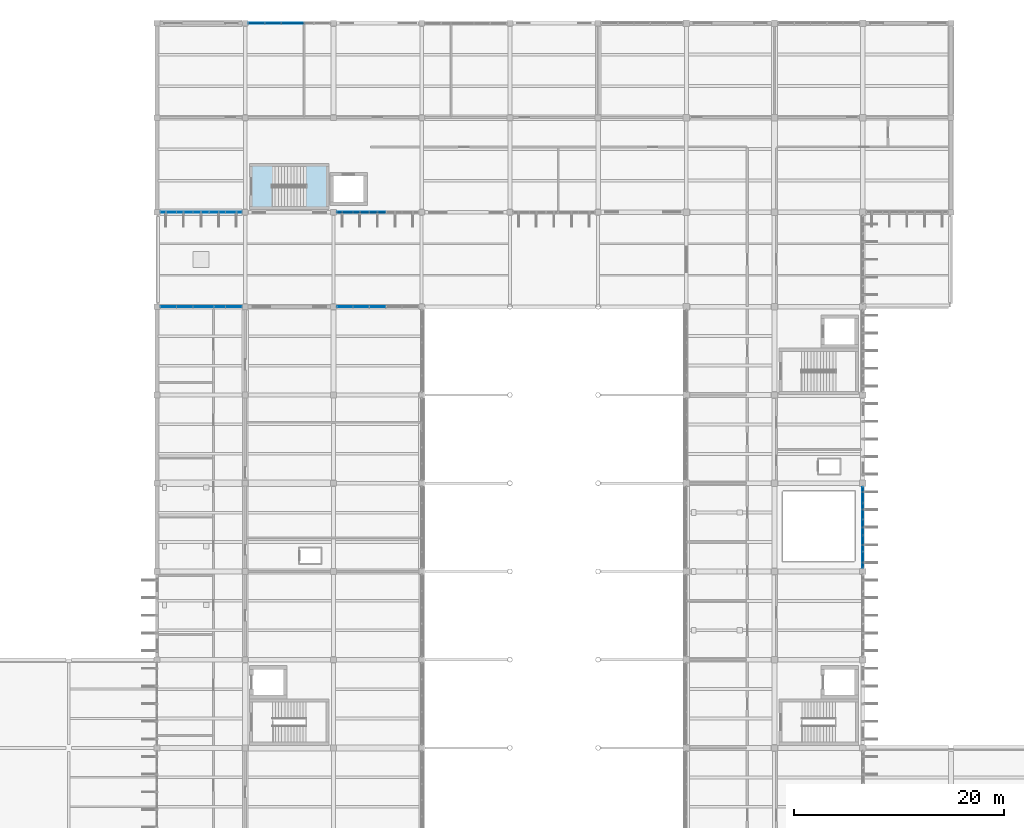
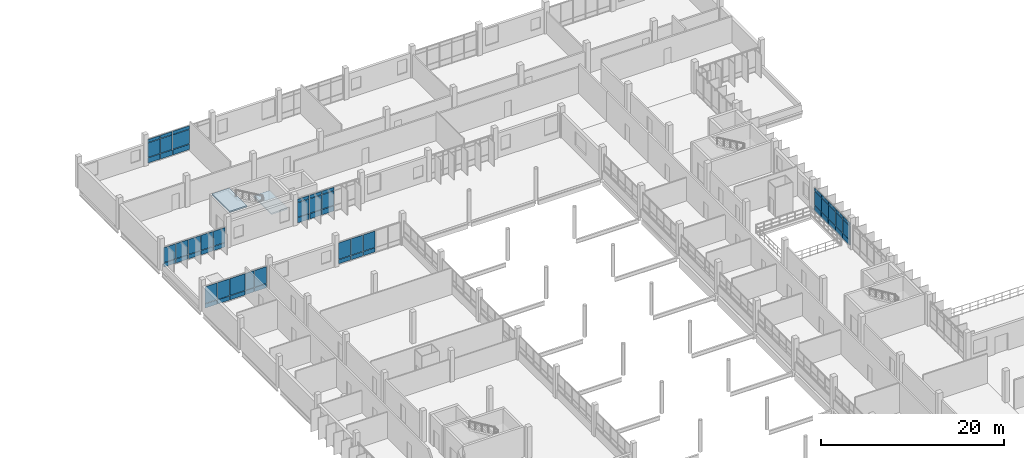
# One storey, part 99 of 130: 59 plates, 2 slabs, 7 elements without a shape of their own.
"""IFC4 building model written with IfcOpenShell, lengths in metres."""

from ifc_helpers import new_model, si_unit, direction, frame, origin, origin_2d, place, context, subcontext, project, spatial, polyline, rectangle, outline, extrude, material, layer, layer_set, type_object, element, aggregate, save


model = new_model("IFC4")

# Units and contexts
model_context = context("Model", 3, precision=1e-05, world=origin(), true_north=direction((0.0, 1.0)))
body_context = subcontext(model_context, "Body", "Model", "MODEL_VIEW")
ifc_project = project(units=[si_unit("LENGTHUNIT", "METRE"), si_unit("AREAUNIT", "SQUARE_METRE"), si_unit("VOLUMEUNIT", "CUBIC_METRE"), si_unit("PLANEANGLEUNIT", "RADIAN"), si_unit("MASSUNIT", "GRAM", prefix="KILO")], contexts=[model_context])

# Site, building, storey
site_placement = place(None, origin())
site = spatial("IfcSite", under=ifc_project, at=site_placement, CompositionType="ELEMENT")
building_placement = place(site_placement, origin())
building = spatial("IfcBuilding", under=site, at=building_placement, Name="Vireocrest Preparatory School", CompositionType="ELEMENT")
storey_placement = place(building_placement, frame((0.0, 0.0, 9.0)))
storey = spatial("IfcBuildingStorey", under=building, at=storey_placement, Name="L02", CompositionType="ELEMENT", Elevation=9.0)

# Curtain wall, plates
ifc_material_1 = material(Name="Thermally broken aluminium EN AW-6063-T6", Category="aluminium")
ifc_layer_1 = layer(ifc_material_1, 0.179931640625)
ifc_layer_set_1 = layer_set([ifc_layer_1], Name="Thermally broken aluminium EN AW-6063-T6")
curtain_wall_type_1 = type_object("IfcCurtainWallType", Name="Teaching Fin Curtain Wall 8400x4200", PredefinedType="USERDEFINED", material=ifc_layer_set_1)
curtain_wall_1_placement = place(storey_placement, origin())
curtain_wall_1 = element("IfcCurtainWall", 1, at=curtain_wall_1_placement, inside=storey, type_object=curtain_wall_type_1, Name="Curtain Wall CW03 CW_L02_CW03_1092_0609_090", ObjectType="CURTAIN WALL", PredefinedType="USERDEFINED")
ifc_material_2 = material(Name="Insulated triple low-e tempered safety glass", Category="glass")
ifc_layer_2 = layer(ifc_material_2, 0.074951171875)
ifc_layer_set_2 = layer_set([ifc_layer_2], Name="Insulated triple low-e tempered safety glass")
plate_type_1 = type_object("IfcPlateType", Name="Acoustic Triple-Glazed Lab Curtain Panel 75", PredefinedType="CURTAIN_PANEL", material=ifc_layer_set_2)
plate_1_placement = place(storey_placement, frame((109.199951171875, 61.7080078125, 0.882568359375), z_axis=(0.0, 0.0, 1.0), x_axis=(0.0, 1.0, 0.0)))
plate_1 = element("IfcPlate", 2, at=plate_1_placement, type_object=plate_type_1, Name="CW Panel GL2 CW_L02_CW03_1092_0609_090-1-2", PredefinedType="CURTAIN_PANEL", context=body_context, shape_type="SweptSolid", body=[
    extrude(rectangle(XDim=1.48095703125, YDim=0.074951171875, at=origin_2d()), origin(), (0.0, 0.0, 1.0), 1.77490234375),
])
plate_2_placement = place(storey_placement, frame((109.199951171875, 61.7080078125, 2.72265625), z_axis=(0.0, 0.0, 1.0), x_axis=(0.0, 1.0, 0.0)))
plate_2 = element("IfcPlate", 3, at=plate_2_placement, type_object=plate_type_1, Name="CW Panel GL2 CW_L02_CW03_1092_0609_090-1-3", PredefinedType="CURTAIN_PANEL", context=body_context, shape_type="SweptSolid", body=[
    extrude(rectangle(XDim=1.48095703125, YDim=0.074951171875, at=origin_2d()), origin(), (0.0, 0.0, 1.0), 0.409912109375),
])
plate_3_placement = place(storey_placement, frame((109.199951171875, 63.25390625, 0.882568359375), z_axis=(0.0, 0.0, 1.0), x_axis=(0.0, 1.0, 0.0)))
plate_3 = element("IfcPlate", 4, at=plate_3_placement, type_object=plate_type_1, Name="CW Panel GL2 CW_L02_CW03_1092_0609_090-2-2", PredefinedType="CURTAIN_PANEL", context=body_context, shape_type="SweptSolid", body=[
    extrude(rectangle(XDim=1.48095703125, YDim=0.074951171875, at=origin_2d()), origin(), (0.0, 0.0, 1.0), 1.77490234375),
])
plate_4_placement = place(storey_placement, frame((109.199951171875, 63.25390625, 2.72265625), z_axis=(0.0, 0.0, 1.0), x_axis=(0.0, 1.0, 0.0)))
plate_4 = element("IfcPlate", 5, at=plate_4_placement, type_object=plate_type_1, Name="CW Panel GL2 CW_L02_CW03_1092_0609_090-2-3", PredefinedType="CURTAIN_PANEL", context=body_context, shape_type="SweptSolid", body=[
    extrude(rectangle(XDim=1.48095703125, YDim=0.074951171875, at=origin_2d()), origin(), (0.0, 0.0, 1.0), 0.409912109375),
])
plate_5_placement = place(storey_placement, frame((109.199951171875, 64.800048828125, 0.882568359375), z_axis=(0.0, 0.0, 1.0), x_axis=(0.0, 1.0, 0.0)))
plate_5 = element("IfcPlate", 6, at=plate_5_placement, type_object=plate_type_1, Name="CW Panel GL2 CW_L02_CW03_1092_0609_090-3-2", PredefinedType="CURTAIN_PANEL", context=body_context, shape_type="SweptSolid", body=[
    extrude(rectangle(XDim=1.48095703125, YDim=0.074951171875, at=origin_2d()), origin(), (0.0, 0.0, 1.0), 1.77490234375),
])
plate_6_placement = place(storey_placement, frame((109.199951171875, 64.800048828125, 2.72265625), z_axis=(0.0, 0.0, 1.0), x_axis=(0.0, 1.0, 0.0)))
plate_6 = element("IfcPlate", 7, at=plate_6_placement, type_object=plate_type_1, Name="CW Panel GL2 CW_L02_CW03_1092_0609_090-3-3", PredefinedType="CURTAIN_PANEL", context=body_context, shape_type="SweptSolid", body=[
    extrude(rectangle(XDim=1.48095703125, YDim=0.074951171875, at=origin_2d()), origin(), (0.0, 0.0, 1.0), 0.409912109375),
])
plate_7_placement = place(storey_placement, frame((109.199951171875, 66.345947265625, 0.882568359375), z_axis=(0.0, 0.0, 1.0), x_axis=(0.0, 1.0, 0.0)))
plate_7 = element("IfcPlate", 8, at=plate_7_placement, type_object=plate_type_1, Name="CW Panel GL2 CW_L02_CW03_1092_0609_090-4-2", PredefinedType="CURTAIN_PANEL", context=body_context, shape_type="SweptSolid", body=[
    extrude(rectangle(XDim=1.48095703125, YDim=0.074951171875, at=origin_2d()), origin(), (0.0, 0.0, 1.0), 1.77490234375),
])
plate_8_placement = place(storey_placement, frame((109.199951171875, 66.345947265625, 2.72265625), z_axis=(0.0, 0.0, 1.0), x_axis=(0.0, 1.0, 0.0)))
plate_8 = element("IfcPlate", 9, at=plate_8_placement, type_object=plate_type_1, Name="CW Panel GL2 CW_L02_CW03_1092_0609_090-4-3", PredefinedType="CURTAIN_PANEL", context=body_context, shape_type="SweptSolid", body=[
    extrude(rectangle(XDim=1.48095703125, YDim=0.074951171875, at=origin_2d()), origin(), (0.0, 0.0, 1.0), 0.409912109375),
])
plate_9_placement = place(storey_placement, frame((109.199951171875, 67.89208984375, 0.882568359375), z_axis=(0.0, 0.0, 1.0), x_axis=(0.0, 1.0, 0.0)))
plate_9 = element("IfcPlate", 10, at=plate_9_placement, type_object=plate_type_1, Name="CW Panel GL2 CW_L02_CW03_1092_0609_090-5-2", PredefinedType="CURTAIN_PANEL", context=body_context, shape_type="SweptSolid", body=[
    extrude(rectangle(XDim=1.48095703125, YDim=0.074951171875, at=origin_2d()), origin(), (0.0, 0.0, 1.0), 1.77490234375),
])
plate_10_placement = place(storey_placement, frame((109.199951171875, 67.89208984375, 2.72265625), z_axis=(0.0, 0.0, 1.0), x_axis=(0.0, 1.0, 0.0)))
plate_10 = element("IfcPlate", 11, at=plate_10_placement, type_object=plate_type_1, Name="CW Panel GL2 CW_L02_CW03_1092_0609_090-5-3", PredefinedType="CURTAIN_PANEL", context=body_context, shape_type="SweptSolid", body=[
    extrude(rectangle(XDim=1.48095703125, YDim=0.074951171875, at=origin_2d()), origin(), (0.0, 0.0, 1.0), 0.409912109375),
])

ifc_layer_3 = layer(ifc_material_1, 0.179931640625)
ifc_layer_set_3 = layer_set([ifc_layer_3], Name="Thermally broken aluminium EN AW-6063-T6")
curtain_wall_type_2 = type_object("IfcCurtainWallType", Name="North Street Curtain Wall 8400x4000", PredefinedType="USERDEFINED", material=ifc_layer_set_3)
curtain_wall_2_placement = place(storey_placement, origin())
curtain_wall_2 = element("IfcCurtainWall", 12, at=curtain_wall_2_placement, inside=storey, type_object=curtain_wall_type_2, Name="Curtain Wall CW05 CW_L02_CW05_0506_1128_090", ObjectType="CURTAIN WALL", PredefinedType="USERDEFINED")
plate_11_placement = place(storey_placement, frame((51.488037109375, 112.800048828125, 0.882568359375), z_axis=(0.0, 0.0, 1.0), x_axis=(1.0, 0.0, 0.0)))
plate_11 = element("IfcPlate", 13, at=plate_11_placement, type_object=plate_type_1, Name="CW Panel GL2 CW_L02_CW05_0506_1128_090-1-2", PredefinedType="CURTAIN_PANEL", context=body_context, shape_type="SweptSolid", body=[
    extrude(rectangle(XDim=1.490966796875, YDim=0.074951171875, at=origin_2d()), origin(), (0.0, 0.0, 1.0), 1.89501953125),
])
plate_12_placement = place(storey_placement, frame((51.488037109375, 112.800048828125, 2.8427734375), z_axis=(0.0, 0.0, 1.0), x_axis=(1.0, 0.0, 0.0)))
plate_12 = element("IfcPlate", 14, at=plate_12_placement, type_object=plate_type_1, Name="CW Panel GL2 CW_L02_CW05_0506_1128_090-1-3", PredefinedType="CURTAIN_PANEL", context=body_context, shape_type="SweptSolid", body=[
    extrude(rectangle(XDim=1.490966796875, YDim=0.074951171875, at=origin_2d()), origin(), (0.0, 0.0, 1.0), 0.409912109375),
])
plate_13_placement = place(storey_placement, frame((53.0439453125, 112.800048828125, 0.882568359375), z_axis=(0.0, 0.0, 1.0), x_axis=(1.0, 0.0, 0.0)))
plate_13 = element("IfcPlate", 15, at=plate_13_placement, type_object=plate_type_1, Name="CW Panel GL2 CW_L02_CW05_0506_1128_090-2-2", PredefinedType="CURTAIN_PANEL", context=body_context, shape_type="SweptSolid", body=[
    extrude(rectangle(XDim=1.490966796875, YDim=0.074951171875, at=origin_2d()), origin(), (0.0, 0.0, 1.0), 1.89501953125),
])
plate_14_placement = place(storey_placement, frame((53.0439453125, 112.800048828125, 2.8427734375), z_axis=(0.0, 0.0, 1.0), x_axis=(1.0, 0.0, 0.0)))
plate_14 = element("IfcPlate", 16, at=plate_14_placement, type_object=plate_type_1, Name="CW Panel GL2 CW_L02_CW05_0506_1128_090-2-3", PredefinedType="CURTAIN_PANEL", context=body_context, shape_type="SweptSolid", body=[
    extrude(rectangle(XDim=1.490966796875, YDim=0.074951171875, at=origin_2d()), origin(), (0.0, 0.0, 1.0), 0.409912109375),
])
plate_15_placement = place(storey_placement, frame((54.910888671875, 112.800048828125, 0.882568359375), z_axis=(0.0, 0.0, 1.0), x_axis=(1.0, 0.0, 0.0)))
plate_15 = element("IfcPlate", 17, at=plate_15_placement, type_object=plate_type_1, Name="CW Panel GL2 CW_L02_CW05_0506_1128_090-3-2", PredefinedType="CURTAIN_PANEL", context=body_context, shape_type="SweptSolid", body=[
    extrude(rectangle(XDim=2.113037109375, YDim=0.074951171875, at=origin_2d()), origin(), (0.0, 0.0, 1.0), 1.89501953125),
])
plate_16_placement = place(storey_placement, frame((54.910888671875, 112.800048828125, 2.8427734375), z_axis=(0.0, 0.0, 1.0), x_axis=(1.0, 0.0, 0.0)))
plate_16 = element("IfcPlate", 18, at=plate_16_placement, type_object=plate_type_1, Name="CW Panel GL2 CW_L02_CW05_0506_1128_090-3-3", PredefinedType="CURTAIN_PANEL", context=body_context, shape_type="SweptSolid", body=[
    extrude(rectangle(XDim=2.113037109375, YDim=0.074951171875, at=origin_2d()), origin(), (0.0, 0.0, 1.0), 0.409912109375),
])

curtain_wall_3_placement = place(storey_placement, origin())
curtain_wall_3 = element("IfcCurtainWall", 19, at=curtain_wall_3_placement, inside=storey, type_object=curtain_wall_type_1, Name="Curtain Wall CW03 CW_L02_CW03_0422_0948_090", ObjectType="CURTAIN WALL", PredefinedType="USERDEFINED")
plate_17_placement = place(storey_placement, frame((43.087890625, 94.800048828125, 0.12744140625), z_axis=(0.0, 0.0, 1.0), x_axis=(1.0, 0.0, 0.0)))
plate_17 = element("IfcPlate", 20, at=plate_17_placement, type_object=plate_type_1, Name="CW Panel GL2 CW_L02_CW03_0422_0948_090-1-1", PredefinedType="CURTAIN_PANEL", context=body_context, shape_type="SweptSolid", body=[
    extrude(rectangle(XDim=1.490966796875, YDim=0.074951171875, at=origin_2d()), origin(), (0.0, 0.0, 1.0), 0.5400390625),
])
plate_18_placement = place(storey_placement, frame((43.087890625, 94.800048828125, 0.732421875), z_axis=(0.0, 0.0, 1.0), x_axis=(1.0, 0.0, 0.0)))
plate_18 = element("IfcPlate", 21, at=plate_18_placement, type_object=plate_type_1, Name="CW Panel GL2 CW_L02_CW03_0422_0948_090-1-2", PredefinedType="CURTAIN_PANEL", context=body_context, shape_type="SweptSolid", body=[
    extrude(rectangle(XDim=1.490966796875, YDim=0.074951171875, at=origin_2d()), origin(), (0.0, 0.0, 1.0), 1.969970703125),
])
plate_19_placement = place(storey_placement, frame((44.64404296875, 94.800048828125, 0.12744140625), z_axis=(0.0, 0.0, 1.0), x_axis=(1.0, 0.0, 0.0)))
plate_19 = element("IfcPlate", 22, at=plate_19_placement, type_object=plate_type_1, Name="CW Panel GL2 CW_L02_CW03_0422_0948_090-2-1", PredefinedType="CURTAIN_PANEL", context=body_context, shape_type="SweptSolid", body=[
    extrude(rectangle(XDim=1.490966796875, YDim=0.074951171875, at=origin_2d()), origin(), (0.0, 0.0, 1.0), 0.5400390625),
])
plate_20_placement = place(storey_placement, frame((44.64404296875, 94.800048828125, 0.732421875), z_axis=(0.0, 0.0, 1.0), x_axis=(1.0, 0.0, 0.0)))
plate_20 = element("IfcPlate", 23, at=plate_20_placement, type_object=plate_type_1, Name="CW Panel GL2 CW_L02_CW03_0422_0948_090-2-2", PredefinedType="CURTAIN_PANEL", context=body_context, shape_type="SweptSolid", body=[
    extrude(rectangle(XDim=1.490966796875, YDim=0.074951171875, at=origin_2d()), origin(), (0.0, 0.0, 1.0), 1.969970703125),
])
plate_21_placement = place(storey_placement, frame((46.199951171875, 94.800048828125, 0.12744140625), z_axis=(0.0, 0.0, 1.0), x_axis=(1.0, 0.0, 0.0)))
plate_21 = element("IfcPlate", 24, at=plate_21_placement, type_object=plate_type_1, Name="CW Panel GL2 CW_L02_CW03_0422_0948_090-3-1", PredefinedType="CURTAIN_PANEL", context=body_context, shape_type="SweptSolid", body=[
    extrude(rectangle(XDim=1.490966796875, YDim=0.074951171875, at=origin_2d()), origin(), (0.0, 0.0, 1.0), 0.5400390625),
])
plate_22_placement = place(storey_placement, frame((46.199951171875, 94.800048828125, 0.732421875), z_axis=(0.0, 0.0, 1.0), x_axis=(1.0, 0.0, 0.0)))
plate_22 = element("IfcPlate", 25, at=plate_22_placement, type_object=plate_type_1, Name="CW Panel GL2 CW_L02_CW03_0422_0948_090-3-2", PredefinedType="CURTAIN_PANEL", context=body_context, shape_type="SweptSolid", body=[
    extrude(rectangle(XDim=1.490966796875, YDim=0.074951171875, at=origin_2d()), origin(), (0.0, 0.0, 1.0), 1.969970703125),
])
plate_23_placement = place(storey_placement, frame((47.756103515625, 94.800048828125, 0.12744140625), z_axis=(0.0, 0.0, 1.0), x_axis=(1.0, 0.0, 0.0)))
plate_23 = element("IfcPlate", 26, at=plate_23_placement, type_object=plate_type_1, Name="CW Panel GL2 CW_L02_CW03_0422_0948_090-4-1", PredefinedType="CURTAIN_PANEL", context=body_context, shape_type="SweptSolid", body=[
    extrude(rectangle(XDim=1.490966796875, YDim=0.074951171875, at=origin_2d()), origin(), (0.0, 0.0, 1.0), 0.5400390625),
])
plate_24_placement = place(storey_placement, frame((47.756103515625, 94.800048828125, 0.732421875), z_axis=(0.0, 0.0, 1.0), x_axis=(1.0, 0.0, 0.0)))
plate_24 = element("IfcPlate", 27, at=plate_24_placement, type_object=plate_type_1, Name="CW Panel GL2 CW_L02_CW03_0422_0948_090-4-2", PredefinedType="CURTAIN_PANEL", context=body_context, shape_type="SweptSolid", body=[
    extrude(rectangle(XDim=1.490966796875, YDim=0.074951171875, at=origin_2d()), origin(), (0.0, 0.0, 1.0), 1.969970703125),
])
plate_25_placement = place(storey_placement, frame((49.31201171875, 94.800048828125, 0.12744140625), z_axis=(0.0, 0.0, 1.0), x_axis=(1.0, 0.0, 0.0)))
plate_25 = element("IfcPlate", 28, at=plate_25_placement, type_object=plate_type_1, Name="CW Panel GL2 CW_L02_CW03_0422_0948_090-5-1", PredefinedType="CURTAIN_PANEL", context=body_context, shape_type="SweptSolid", body=[
    extrude(rectangle(XDim=1.490966796875, YDim=0.074951171875, at=origin_2d()), origin(), (0.0, 0.0, 1.0), 0.5400390625),
])
plate_26_placement = place(storey_placement, frame((49.31201171875, 94.800048828125, 0.732421875), z_axis=(0.0, 0.0, 1.0), x_axis=(1.0, 0.0, 0.0)))
plate_26 = element("IfcPlate", 29, at=plate_26_placement, type_object=plate_type_1, Name="CW Panel GL2 CW_L02_CW03_0422_0948_090-5-2", PredefinedType="CURTAIN_PANEL", context=body_context, shape_type="SweptSolid", body=[
    extrude(rectangle(XDim=1.490966796875, YDim=0.074951171875, at=origin_2d()), origin(), (0.0, 0.0, 1.0), 1.969970703125),
])
aggregate(curtain_wall_3, [plate_17, plate_18, plate_19, plate_20, plate_21, plate_22, plate_23, plate_24, plate_25, plate_26])

curtain_wall_4_placement = place(storey_placement, origin())
curtain_wall_4 = element("IfcCurtainWall", 30, at=curtain_wall_4_placement, inside=storey, type_object=curtain_wall_type_2, Name="Curtain Wall CW05 CW_L02_CW05_0590_0948_090", ObjectType="CURTAIN WALL", PredefinedType="USERDEFINED")
plate_27_placement = place(storey_placement, frame((59.887939453125, 94.800048828125, 0.882568359375), z_axis=(0.0, 0.0, 1.0), x_axis=(1.0, 0.0, 0.0)))
plate_27 = element("IfcPlate", 31, at=plate_27_placement, type_object=plate_type_1, Name="CW Panel GL2 CW_L02_CW05_0590_0948_090-1-2", PredefinedType="CURTAIN_PANEL", context=body_context, shape_type="SweptSolid", body=[
    extrude(rectangle(XDim=1.490966796875, YDim=0.074951171875, at=origin_2d()), origin(), (0.0, 0.0, 1.0), 1.89501953125),
])
plate_28_placement = place(storey_placement, frame((59.887939453125, 94.800048828125, 2.8427734375), z_axis=(0.0, 0.0, 1.0), x_axis=(1.0, 0.0, 0.0)))
plate_28 = element("IfcPlate", 32, at=plate_28_placement, type_object=plate_type_1, Name="CW Panel GL2 CW_L02_CW05_0590_0948_090-1-3", PredefinedType="CURTAIN_PANEL", context=body_context, shape_type="SweptSolid", body=[
    extrude(rectangle(XDim=1.490966796875, YDim=0.074951171875, at=origin_2d()), origin(), (0.0, 0.0, 1.0), 0.409912109375),
])
plate_29_placement = place(storey_placement, frame((61.444091796875, 94.800048828125, 0.882568359375), z_axis=(0.0, 0.0, 1.0), x_axis=(1.0, 0.0, 0.0)))
plate_29 = element("IfcPlate", 33, at=plate_29_placement, type_object=plate_type_1, Name="CW Panel GL2 CW_L02_CW05_0590_0948_090-2-2", PredefinedType="CURTAIN_PANEL", context=body_context, shape_type="SweptSolid", body=[
    extrude(rectangle(XDim=1.490966796875, YDim=0.074951171875, at=origin_2d()), origin(), (0.0, 0.0, 1.0), 1.89501953125),
])
plate_30_placement = place(storey_placement, frame((61.444091796875, 94.800048828125, 2.8427734375), z_axis=(0.0, 0.0, 1.0), x_axis=(1.0, 0.0, 0.0)))
plate_30 = element("IfcPlate", 34, at=plate_30_placement, type_object=plate_type_1, Name="CW Panel GL2 CW_L02_CW05_0590_0948_090-2-3", PredefinedType="CURTAIN_PANEL", context=body_context, shape_type="SweptSolid", body=[
    extrude(rectangle(XDim=1.490966796875, YDim=0.074951171875, at=origin_2d()), origin(), (0.0, 0.0, 1.0), 0.409912109375),
])
plate_31_placement = place(storey_placement, frame((63.0, 94.800048828125, 0.882568359375), z_axis=(0.0, 0.0, 1.0), x_axis=(1.0, 0.0, 0.0)))
plate_31 = element("IfcPlate", 35, at=plate_31_placement, type_object=plate_type_1, Name="CW Panel GL2 CW_L02_CW05_0590_0948_090-3-2", PredefinedType="CURTAIN_PANEL", context=body_context, shape_type="SweptSolid", body=[
    extrude(rectangle(XDim=1.490966796875, YDim=0.074951171875, at=origin_2d()), origin(), (0.0, 0.0, 1.0), 1.89501953125),
])
plate_32_placement = place(storey_placement, frame((63.0, 94.800048828125, 2.8427734375), z_axis=(0.0, 0.0, 1.0), x_axis=(1.0, 0.0, 0.0)))
plate_32 = element("IfcPlate", 36, at=plate_32_placement, type_object=plate_type_1, Name="CW Panel GL2 CW_L02_CW05_0590_0948_090-3-3", PredefinedType="CURTAIN_PANEL", context=body_context, shape_type="SweptSolid", body=[
    extrude(rectangle(XDim=1.490966796875, YDim=0.074951171875, at=origin_2d()), origin(), (0.0, 0.0, 1.0), 0.409912109375),
])

curtain_wall_5_placement = place(storey_placement, origin())
curtain_wall_5 = element("IfcCurtainWall", 37, at=curtain_wall_5_placement, inside=storey, type_object=curtain_wall_type_2, Name="Curtain Wall CW05 CW_L02_CW05_0422_0858_090", ObjectType="CURTAIN WALL", PredefinedType="USERDEFINED")
plate_33_placement = place(storey_placement, frame((43.087890625, 85.800048828125, 0.12744140625), z_axis=(0.0, 0.0, 1.0), x_axis=(1.0, 0.0, 0.0)))
plate_33 = element("IfcPlate", 38, at=plate_33_placement, type_object=plate_type_1, Name="CW Panel GL2 CW_L02_CW05_0422_0858_090-1-1", PredefinedType="CURTAIN_PANEL", context=body_context, shape_type="SweptSolid", body=[
    extrude(rectangle(XDim=1.490966796875, YDim=0.074951171875, at=origin_2d()), origin(), (0.0, 0.0, 1.0), 0.5400390625),
])
plate_34_placement = place(storey_placement, frame((43.087890625, 85.800048828125, 0.732421875), z_axis=(0.0, 0.0, 1.0), x_axis=(1.0, 0.0, 0.0)))
plate_34 = element("IfcPlate", 39, at=plate_34_placement, type_object=plate_type_1, Name="CW Panel GL2 CW_L02_CW05_0422_0858_090-1-2", PredefinedType="CURTAIN_PANEL", context=body_context, shape_type="SweptSolid", body=[
    extrude(rectangle(XDim=1.490966796875, YDim=0.074951171875, at=origin_2d()), origin(), (0.0, 0.0, 1.0), 2.219970703125),
])
plate_35_placement = place(storey_placement, frame((44.64404296875, 85.800048828125, 0.12744140625), z_axis=(0.0, 0.0, 1.0), x_axis=(1.0, 0.0, 0.0)))
plate_35 = element("IfcPlate", 40, at=plate_35_placement, type_object=plate_type_1, Name="CW Panel GL2 CW_L02_CW05_0422_0858_090-2-1", PredefinedType="CURTAIN_PANEL", context=body_context, shape_type="SweptSolid", body=[
    extrude(rectangle(XDim=1.490966796875, YDim=0.074951171875, at=origin_2d()), origin(), (0.0, 0.0, 1.0), 0.5400390625),
])
plate_36_placement = place(storey_placement, frame((44.64404296875, 85.800048828125, 0.732421875), z_axis=(0.0, 0.0, 1.0), x_axis=(1.0, 0.0, 0.0)))
plate_36 = element("IfcPlate", 41, at=plate_36_placement, type_object=plate_type_1, Name="CW Panel GL2 CW_L02_CW05_0422_0858_090-2-2", PredefinedType="CURTAIN_PANEL", context=body_context, shape_type="SweptSolid", body=[
    extrude(rectangle(XDim=1.490966796875, YDim=0.074951171875, at=origin_2d()), origin(), (0.0, 0.0, 1.0), 2.219970703125),
])
plate_37_placement = place(storey_placement, frame((46.410888671875, 85.800048828125, 0.12744140625), z_axis=(0.0, 0.0, 1.0), x_axis=(1.0, 0.0, 0.0)))
plate_37 = element("IfcPlate", 42, at=plate_37_placement, type_object=plate_type_1, Name="CW Panel GL2 CW_L02_CW05_0422_0858_090-3-1", PredefinedType="CURTAIN_PANEL", context=body_context, shape_type="SweptSolid", body=[
    extrude(rectangle(XDim=1.9130859375, YDim=0.074951171875, at=origin_2d()), origin(), (0.0, 0.0, 1.0), 0.5400390625),
])
plate_38_placement = place(storey_placement, frame((46.410888671875, 85.800048828125, 0.732421875), z_axis=(0.0, 0.0, 1.0), x_axis=(1.0, 0.0, 0.0)))
plate_38 = element("IfcPlate", 43, at=plate_38_placement, type_object=plate_type_1, Name="CW Panel GL2 CW_L02_CW05_0422_0858_090-3-2", PredefinedType="CURTAIN_PANEL", context=body_context, shape_type="SweptSolid", body=[
    extrude(rectangle(XDim=1.9130859375, YDim=0.074951171875, at=origin_2d()), origin(), (0.0, 0.0, 1.0), 2.219970703125),
])
plate_39_placement = place(storey_placement, frame((47.967041015625, 85.800048828125, 0.12744140625), z_axis=(0.0, 0.0, 1.0), x_axis=(1.0, 0.0, 0.0)))
plate_39 = element("IfcPlate", 44, at=plate_39_placement, type_object=plate_type_1, Name="CW Panel GL2 CW_L02_CW05_0422_0858_090-4-1", PredefinedType="CURTAIN_PANEL", context=body_context, shape_type="SweptSolid", body=[
    extrude(rectangle(XDim=1.069091796875, YDim=0.074951171875, at=origin_2d()), origin(), (0.0, 0.0, 1.0), 0.5400390625),
])
plate_40_placement = place(storey_placement, frame((47.967041015625, 85.800048828125, 0.732421875), z_axis=(0.0, 0.0, 1.0), x_axis=(1.0, 0.0, 0.0)))
plate_40 = element("IfcPlate", 45, at=plate_40_placement, type_object=plate_type_1, Name="CW Panel GL2 CW_L02_CW05_0422_0858_090-4-2", PredefinedType="CURTAIN_PANEL", context=body_context, shape_type="SweptSolid", body=[
    extrude(rectangle(XDim=1.069091796875, YDim=0.074951171875, at=origin_2d()), origin(), (0.0, 0.0, 1.0), 2.219970703125),
])
plate_41_placement = place(storey_placement, frame((49.31201171875, 85.800048828125, 0.12744140625), z_axis=(0.0, 0.0, 1.0), x_axis=(1.0, 0.0, 0.0)))
plate_41 = element("IfcPlate", 46, at=plate_41_placement, type_object=plate_type_1, Name="CW Panel GL2 CW_L02_CW05_0422_0858_090-5-1", PredefinedType="CURTAIN_PANEL", context=body_context, shape_type="SweptSolid", body=[
    extrude(rectangle(XDim=1.490966796875, YDim=0.074951171875, at=origin_2d()), origin(), (0.0, 0.0, 1.0), 0.5400390625),
])
plate_42_placement = place(storey_placement, frame((49.31201171875, 85.800048828125, 0.732421875), z_axis=(0.0, 0.0, 1.0), x_axis=(1.0, 0.0, 0.0)))
plate_42 = element("IfcPlate", 47, at=plate_42_placement, type_object=plate_type_1, Name="CW Panel GL2 CW_L02_CW05_0422_0858_090-5-2", PredefinedType="CURTAIN_PANEL", context=body_context, shape_type="SweptSolid", body=[
    extrude(rectangle(XDim=1.490966796875, YDim=0.074951171875, at=origin_2d()), origin(), (0.0, 0.0, 1.0), 2.219970703125),
])
aggregate(curtain_wall_5, [plate_33, plate_34, plate_35, plate_36, plate_37, plate_38, plate_39, plate_40, plate_41, plate_42])

ifc_layer_4 = layer(ifc_material_1, 0.179931640625)
ifc_layer_set_4 = layer_set([ifc_layer_4], Name="Thermally broken aluminium EN AW-6063-T6")
curtain_wall_type_3 = type_object("IfcCurtainWallType", Name="Side Facade Curtain Wall 9000x4200", PredefinedType="USERDEFINED", material=ifc_layer_set_4)
curtain_wall_6_placement = place(storey_placement, origin())
curtain_wall_6 = element("IfcCurtainWall", 48, at=curtain_wall_6_placement, inside=storey, type_object=curtain_wall_type_3, Name="Curtain Wall CW07 CW_L02_CW07_0590_0858_090", ObjectType="CURTAIN WALL", PredefinedType="USERDEFINED")
plate_43_placement = place(storey_placement, frame((59.887939453125, 85.800048828125, 0.12744140625), z_axis=(0.0, 0.0, 1.0), x_axis=(1.0, 0.0, 0.0)))
plate_43 = element("IfcPlate", 49, at=plate_43_placement, type_object=plate_type_1, Name="CW Panel GL2 CW_L02_CW07_0590_0858_090-1-1", PredefinedType="CURTAIN_PANEL", context=body_context, shape_type="SweptSolid", body=[
    extrude(rectangle(XDim=1.490966796875, YDim=0.074951171875, at=origin_2d()), origin(), (0.0, 0.0, 1.0), 0.5400390625),
])
plate_44_placement = place(storey_placement, frame((59.887939453125, 85.800048828125, 0.732421875), z_axis=(0.0, 0.0, 1.0), x_axis=(1.0, 0.0, 0.0)))
plate_44 = element("IfcPlate", 50, at=plate_44_placement, type_object=plate_type_1, Name="CW Panel GL2 CW_L02_CW07_0590_0858_090-1-2", PredefinedType="CURTAIN_PANEL", context=body_context, shape_type="SweptSolid", body=[
    extrude(rectangle(XDim=1.490966796875, YDim=0.074951171875, at=origin_2d()), origin(), (0.0, 0.0, 1.0), 2.169921875),
])
plate_45_placement = place(storey_placement, frame((61.444091796875, 85.800048828125, 0.12744140625), z_axis=(0.0, 0.0, 1.0), x_axis=(1.0, 0.0, 0.0)))
plate_45 = element("IfcPlate", 51, at=plate_45_placement, type_object=plate_type_1, Name="CW Panel GL2 CW_L02_CW07_0590_0858_090-2-1", PredefinedType="CURTAIN_PANEL", context=body_context, shape_type="SweptSolid", body=[
    extrude(rectangle(XDim=1.490966796875, YDim=0.074951171875, at=origin_2d()), origin(), (0.0, 0.0, 1.0), 0.5400390625),
])
plate_46_placement = place(storey_placement, frame((61.444091796875, 85.800048828125, 0.732421875), z_axis=(0.0, 0.0, 1.0), x_axis=(1.0, 0.0, 0.0)))
plate_46 = element("IfcPlate", 52, at=plate_46_placement, type_object=plate_type_1, Name="CW Panel GL2 CW_L02_CW07_0590_0858_090-2-2", PredefinedType="CURTAIN_PANEL", context=body_context, shape_type="SweptSolid", body=[
    extrude(rectangle(XDim=1.490966796875, YDim=0.074951171875, at=origin_2d()), origin(), (0.0, 0.0, 1.0), 2.169921875),
])
plate_47_placement = place(storey_placement, frame((63.0, 85.800048828125, 0.12744140625), z_axis=(0.0, 0.0, 1.0), x_axis=(1.0, 0.0, 0.0)))
plate_47 = element("IfcPlate", 53, at=plate_47_placement, type_object=plate_type_1, Name="CW Panel GL2 CW_L02_CW07_0590_0858_090-3-1", PredefinedType="CURTAIN_PANEL", context=body_context, shape_type="SweptSolid", body=[
    extrude(rectangle(XDim=1.490966796875, YDim=0.074951171875, at=origin_2d()), origin(), (0.0, 0.0, 1.0), 0.5400390625),
])
plate_48_placement = place(storey_placement, frame((63.0, 85.800048828125, 0.732421875), z_axis=(0.0, 0.0, 1.0), x_axis=(1.0, 0.0, 0.0)))
plate_48 = element("IfcPlate", 54, at=plate_48_placement, type_object=plate_type_1, Name="CW Panel GL2 CW_L02_CW07_0590_0858_090-3-2", PredefinedType="CURTAIN_PANEL", context=body_context, shape_type="SweptSolid", body=[
    extrude(rectangle(XDim=1.490966796875, YDim=0.074951171875, at=origin_2d()), origin(), (0.0, 0.0, 1.0), 2.169921875),
])
aggregate(curtain_wall_6, [plate_43, plate_44, plate_45, plate_46, plate_47, plate_48])

# Plate
ifc_material_3 = material(Name="Painted white aluminium cladding EN AW-6063-T6", Category="aluminium")
ifc_layer_5 = layer(ifc_material_3, 0.114990234375)
ifc_layer_set_5 = layer_set([ifc_layer_5], Name="Painted white aluminium cladding EN AW-6063-T6")
plate_type_2 = type_object("IfcPlateType", Name="Insulated White Spandrel Curtain Panel 115", PredefinedType="CURTAIN_PANEL", material=ifc_layer_set_5)
plate_49_placement = place(storey_placement, frame((109.199951171875, 61.7080078125, 0.12744140625), z_axis=(0.0, 0.0, 1.0), x_axis=(0.0, 1.0, 0.0)))
plate_49 = element("IfcPlate", 55, at=plate_49_placement, type_object=plate_type_2, Name="CW Panel SP2 CW_L02_CW03_1092_0609_090-1-1", PredefinedType="CURTAIN_PANEL", context=body_context, shape_type="SweptSolid", body=[
    extrude(rectangle(XDim=1.48095703125, YDim=0.114990234375, at=origin_2d()), origin(), (0.0, 0.0, 1.0), 0.68994140625),
])

plate_50_placement = place(storey_placement, frame((109.199951171875, 63.25390625, 0.12744140625), z_axis=(0.0, 0.0, 1.0), x_axis=(0.0, 1.0, 0.0)))
plate_50 = element("IfcPlate", 56, at=plate_50_placement, type_object=plate_type_2, Name="CW Panel SP2 CW_L02_CW03_1092_0609_090-2-1", PredefinedType="CURTAIN_PANEL", context=body_context, shape_type="SweptSolid", body=[
    extrude(rectangle(XDim=1.48095703125, YDim=0.114990234375, at=origin_2d()), origin(), (0.0, 0.0, 1.0), 0.68994140625),
])

plate_51_placement = place(storey_placement, frame((109.199951171875, 64.800048828125, 0.12744140625), z_axis=(0.0, 0.0, 1.0), x_axis=(0.0, 1.0, 0.0)))
plate_51 = element("IfcPlate", 57, at=plate_51_placement, type_object=plate_type_2, Name="CW Panel SP2 CW_L02_CW03_1092_0609_090-3-1", PredefinedType="CURTAIN_PANEL", context=body_context, shape_type="SweptSolid", body=[
    extrude(rectangle(XDim=1.48095703125, YDim=0.114990234375, at=origin_2d()), origin(), (0.0, 0.0, 1.0), 0.68994140625),
])

plate_52_placement = place(storey_placement, frame((109.199951171875, 66.345947265625, 0.12744140625), z_axis=(0.0, 0.0, 1.0), x_axis=(0.0, 1.0, 0.0)))
plate_52 = element("IfcPlate", 58, at=plate_52_placement, type_object=plate_type_2, Name="CW Panel SP2 CW_L02_CW03_1092_0609_090-4-1", PredefinedType="CURTAIN_PANEL", context=body_context, shape_type="SweptSolid", body=[
    extrude(rectangle(XDim=1.48095703125, YDim=0.114990234375, at=origin_2d()), origin(), (0.0, 0.0, 1.0), 0.68994140625),
])

plate_53_placement = place(storey_placement, frame((109.199951171875, 67.89208984375, 0.12744140625), z_axis=(0.0, 0.0, 1.0), x_axis=(0.0, 1.0, 0.0)))
plate_53 = element("IfcPlate", 59, at=plate_53_placement, type_object=plate_type_2, Name="CW Panel SP2 CW_L02_CW03_1092_0609_090-5-1", PredefinedType="CURTAIN_PANEL", context=body_context, shape_type="SweptSolid", body=[
    extrude(rectangle(XDim=1.48095703125, YDim=0.114990234375, at=origin_2d()), origin(), (0.0, 0.0, 1.0), 0.68994140625),
])

aggregate(curtain_wall_1, [plate_49, plate_1, plate_2, plate_50, plate_3, plate_4, plate_51, plate_5, plate_6, plate_52, plate_7, plate_8, plate_53, plate_9, plate_10])

plate_54_placement = place(storey_placement, frame((51.488037109375, 112.800048828125, 0.12744140625), z_axis=(0.0, 0.0, 1.0), x_axis=(1.0, 0.0, 0.0)))
plate_54 = element("IfcPlate", 60, at=plate_54_placement, type_object=plate_type_2, Name="CW Panel SP2 CW_L02_CW05_0506_1128_090-1-1", PredefinedType="CURTAIN_PANEL", context=body_context, shape_type="SweptSolid", body=[
    extrude(rectangle(XDim=1.490966796875, YDim=0.114990234375, at=origin_2d()), origin(), (0.0, 0.0, 1.0), 0.68994140625),
])

plate_55_placement = place(storey_placement, frame((53.0439453125, 112.800048828125, 0.12744140625), z_axis=(0.0, 0.0, 1.0), x_axis=(1.0, 0.0, 0.0)))
plate_55 = element("IfcPlate", 61, at=plate_55_placement, type_object=plate_type_2, Name="CW Panel SP2 CW_L02_CW05_0506_1128_090-2-1", PredefinedType="CURTAIN_PANEL", context=body_context, shape_type="SweptSolid", body=[
    extrude(rectangle(XDim=1.490966796875, YDim=0.114990234375, at=origin_2d()), origin(), (0.0, 0.0, 1.0), 0.68994140625),
])

plate_56_placement = place(storey_placement, frame((54.910888671875, 112.800048828125, 0.12744140625), z_axis=(0.0, 0.0, 1.0), x_axis=(1.0, 0.0, 0.0)))
plate_56 = element("IfcPlate", 62, at=plate_56_placement, type_object=plate_type_2, Name="CW Panel SP2 CW_L02_CW05_0506_1128_090-3-1", PredefinedType="CURTAIN_PANEL", context=body_context, shape_type="SweptSolid", body=[
    extrude(rectangle(XDim=2.113037109375, YDim=0.114990234375, at=origin_2d()), origin(), (0.0, 0.0, 1.0), 0.68994140625),
])

aggregate(curtain_wall_2, [plate_54, plate_11, plate_12, plate_55, plate_13, plate_14, plate_56, plate_15, plate_16])

plate_57_placement = place(storey_placement, frame((59.887939453125, 94.800048828125, 0.12744140625), z_axis=(0.0, 0.0, 1.0), x_axis=(1.0, 0.0, 0.0)))
plate_57 = element("IfcPlate", 63, at=plate_57_placement, type_object=plate_type_2, Name="CW Panel SP2 CW_L02_CW05_0590_0948_090-1-1", PredefinedType="CURTAIN_PANEL", context=body_context, shape_type="SweptSolid", body=[
    extrude(rectangle(XDim=1.490966796875, YDim=0.114990234375, at=origin_2d()), origin(), (0.0, 0.0, 1.0), 0.68994140625),
])

plate_58_placement = place(storey_placement, frame((61.444091796875, 94.800048828125, 0.12744140625), z_axis=(0.0, 0.0, 1.0), x_axis=(1.0, 0.0, 0.0)))
plate_58 = element("IfcPlate", 64, at=plate_58_placement, type_object=plate_type_2, Name="CW Panel SP2 CW_L02_CW05_0590_0948_090-2-1", PredefinedType="CURTAIN_PANEL", context=body_context, shape_type="SweptSolid", body=[
    extrude(rectangle(XDim=1.490966796875, YDim=0.114990234375, at=origin_2d()), origin(), (0.0, 0.0, 1.0), 0.68994140625),
])

plate_59_placement = place(storey_placement, frame((63.0, 94.800048828125, 0.12744140625), z_axis=(0.0, 0.0, 1.0), x_axis=(1.0, 0.0, 0.0)))
plate_59 = element("IfcPlate", 65, at=plate_59_placement, type_object=plate_type_2, Name="CW Panel SP2 CW_L02_CW05_0590_0948_090-3-1", PredefinedType="CURTAIN_PANEL", context=body_context, shape_type="SweptSolid", body=[
    extrude(rectangle(XDim=1.490966796875, YDim=0.114990234375, at=origin_2d()), origin(), (0.0, 0.0, 1.0), 0.68994140625),
])

aggregate(curtain_wall_4, [plate_57, plate_27, plate_28, plate_58, plate_29, plate_30, plate_59, plate_31, plate_32])

# Stair, slabs
ifc_material_4 = material(Name="Concrete 40 MPa", Category="concrete")
stair_type = type_object("IfcStairType", Name="Feature Library Stair 4200 Rise 1800 Wide", PredefinedType="HALF_TURN_STAIR", material=ifc_material_4)
stair_placement = place(storey_placement, origin())
stair = element("IfcStair", 66, at=stair_placement, inside=storey, type_object=stair_type, Name="Two-Run Stair ST3-L02", PredefinedType="HALF_TURN_STAIR")
ifc_layer_6 = layer(ifc_material_4, 0.179931640625)
ifc_layer_set_6 = layer_set([ifc_layer_6], Name="Concrete 40 MPa")
slab_type = type_object("IfcSlabType", Name="Precast Concrete Stair Landing Slab 180", PredefinedType="LANDING", material=ifc_layer_set_6)
slab_1_placement = place(storey_placement, frame((0.0, 0.0, 1.919921875)))
slab_1 = element("IfcSlab", 67, at=slab_1_placement, type_object=slab_type, Name="Stair Half-Landing ST3-L02", PredefinedType="LANDING", context=body_context, shape_type="SweptSolid", body=[
    extrude(outline(polyline([(56.18994140625, 95.31005859375), (58.2451171875, 95.31005859375), (58.2451171875, 99.18994140625), (56.18994140625, 99.18994140625), (56.18994140625, 95.31005859375)])), origin(), (0.0, 0.0, 1.0), 0.18017578125),
])
slab_2_placement = place(storey_placement, frame((0.0, 0.0, 4.02001953125)))
slab_2 = element("IfcSlab", 68, at=slab_2_placement, type_object=slab_type, Name="Stair Arrival Landing ST3-L02", PredefinedType="LANDING", context=body_context, shape_type="SweptSolid", body=[
    extrude(outline(polyline([(50.955078125, 95.31005859375), (53.1201171875, 95.31005859375), (53.1201171875, 99.18994140625), (50.955078125, 99.18994140625), (50.955078125, 95.31005859375)])), origin(), (0.0, 0.0, 1.0), 0.179931640625),
])
aggregate(stair, [slab_1, slab_2])

save(model, "model.ifc")
